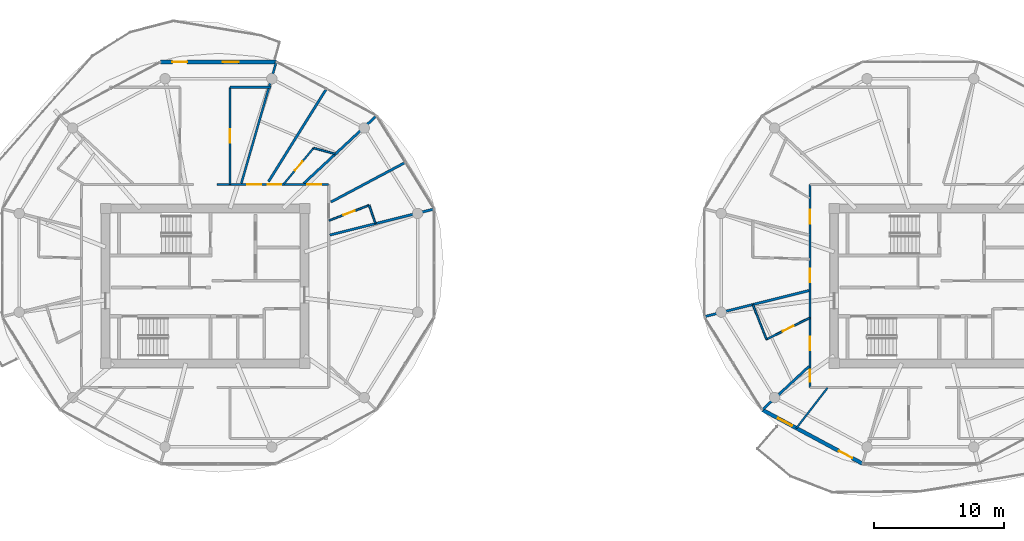
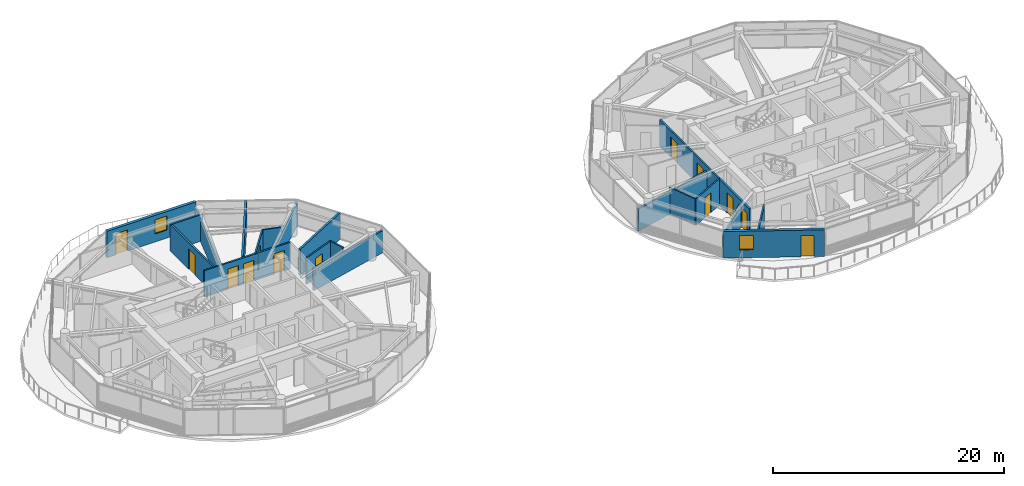
# One storey, part 15 of 24: 20 walls, 13 doors, 2 windows, 15 openings.
"""IFC4 building model written with IfcOpenShell, lengths in metres."""

from ifc_helpers import new_model, si_unit, direction, frame, frame_2d, origin, place, context, subcontext, project, spatial, rectangle, extrude, source, transform, mapped, material, layer, layer_set, type_object, type_shapes, element, fill, save


model = new_model("IFC4")

# Units and contexts
model_context = context("Model", 3, precision=1e-05, world=origin(), true_north=direction((0.0, 1.0)))
body_context = subcontext(model_context, "Body", "Model", "MODEL_VIEW")
ifc_project = project(units=[si_unit("LENGTHUNIT", "METRE"), si_unit("AREAUNIT", "SQUARE_METRE"), si_unit("VOLUMEUNIT", "CUBIC_METRE"), si_unit("PLANEANGLEUNIT", "RADIAN"), si_unit("MASSUNIT", "GRAM", prefix="KILO")], contexts=[model_context])

# Site, building, storey
site_placement = place(None, origin())
site = spatial("IfcSite", under=ifc_project, at=site_placement, CompositionType="ELEMENT")
building_placement = place(site_placement, origin())
building = spatial("IfcBuilding", under=site, at=building_placement, Name="Norrkilde Senior Care Towers", CompositionType="ELEMENT")
storey_placement = place(building_placement, frame((0.0, 0.0, 155.64990234375)))
storey = spatial("IfcBuildingStorey", under=building, at=storey_placement, Name="L48", CompositionType="ELEMENT", Elevation=155.64990234375)

# Wall, openings, door, window
ifc_material_1 = material(Name="Precast concrete C45/55", Category="concrete")
ifc_layer_1 = layer(ifc_material_1, 0.2900390625)
ifc_layer_set_1 = layer_set([ifc_layer_1], Name="Precast concrete C45/55")
wall_type_1 = type_object("IfcWallType", Name="Winter Garden Facade Wall 290", PredefinedType="SOLIDWALL", material=ifc_layer_set_1)
shared_shape_1 = source(origin(), body_context, "Body", "SweptSolid", [
    extrude(rectangle(XDim=8.741943359375, YDim=0.2900390625, at=frame_2d((4.37109375, 0.0))), origin(), (0.0, 0.0, 1.0), 2.81005859375),
])
wall_1_placement = place(storey_placement, frame((22.528564453125, -13.66015625, 0.0), z_axis=(0.0, 0.0, 1.0), x_axis=(-0.880998740657, 0.473118609823, 0.0)))
wall_1 = element("IfcWall", 1, at=wall_1_placement, inside=storey, type_object=wall_type_1, Name="L48 Drum E Balcony Access Wall 07", PredefinedType="SOLIDWALL", context=body_context, shape_type="MappedRepresentation", body=[
    mapped(shared_shape_1, transform((0.0, 0.0, 0.0), x_axis=(1.0, 0.0, 0.0), y_axis=(0.0, 1.0, 0.0), z_axis=(0.0, 0.0, 1.0), scale=1.0)),
])
opening_1_placement = place(wall_1_placement, frame((0.89990234375, 0.0, 0.0)))
opening_1 = element("IfcOpeningElement", 2, at=opening_1_placement, cuts=wall_1, Name="Opening D-09", PredefinedType="OPENING", context=body_context, shape_type="SweptSolid", body=[
    extrude(rectangle(XDim=1.14990234375, YDim=2.25, at=frame_2d((0.574951171875, 1.125))), frame((0.0, 0.155029296875, 0.0), z_axis=(0.0, -1.0, 0.0), x_axis=(1.0, 0.0, 0.0)), (0.0, 0.0, 1.0), 0.31005859375),
])
opening_2_placement = place(wall_1_placement, frame((6.160888671875, 0.0, 0.85009765625)))
opening_2 = element("IfcOpeningElement", 3, at=opening_2_placement, cuts=wall_1, Name="Opening WN-07", PredefinedType="OPENING", context=body_context, shape_type="SweptSolid", body=[
    extrude(rectangle(XDim=1.199951171875, YDim=1.5, at=frame_2d((0.60009765625, 0.75))), frame((0.0, 0.155029296875, 0.0), z_axis=(0.0, -1.0, 0.0), x_axis=(1.0, 0.0, 0.0)), (0.0, 0.0, 1.0), 0.31005859375),
])
ifc_material_2 = material(Name="Anodised Aluminium", Category="aluminium")
door_type_1 = type_object("IfcDoorType", Name="Terrace and Balcony Glazed Door 1150x2250", OperationType="NOTDEFINED", PredefinedType="DOOR", material=ifc_material_2)
shared_shape_2 = source(origin(), body_context, "Body", "SweptSolid", [
    extrude(rectangle(XDim=1.14990234375, YDim=2.25, at=frame_2d((0.574951171875, 1.125))), frame((0.0, 0.02490234375, 0.0), z_axis=(0.0, -1.0, 0.0), x_axis=(1.0, 0.0, 0.0)), (0.0, 0.0, 1.0), 0.050048828125),
])
type_shapes(door_type_1, [shared_shape_2])
door_1_placement = place(opening_1_placement, origin())
door_1 = element("IfcDoor", 4, at=door_1_placement, inside=storey, type_object=door_type_1, Name="L48 Drum E Outdoor Terrace Door 07", OperationType="SINGLE_SWING_RIGHT", OverallHeight=2.25, OverallWidth=1.14990234375, PredefinedType="DOOR", context=body_context, shape_type="MappedRepresentation", body=[
    mapped(shared_shape_2, transform((0.0, 0.0, 0.0), x_axis=(1.0, 0.0, 0.0), y_axis=(0.0, 1.0, 0.0), z_axis=(0.0, 0.0, 1.0), scale=1.0)),
])
fill(opening_1, door_1)
ifc_material_3 = material(Name="Triple Low-E Insulated Glazing", Category="glass")
window_type = type_object("IfcWindowType", Name="Stairwell Smoke Vent Window 1200x1500", PartitioningType="SINGLE_PANEL", PredefinedType="WINDOW", material=ifc_material_3)
shared_shape_3 = source(origin(), body_context, "Body", "SweptSolid", [
    extrude(rectangle(XDim=1.199951171875, YDim=1.5, at=frame_2d((0.60009765625, 0.75))), frame((0.0, 0.030029296875, 0.0), z_axis=(0.0, -1.0, 0.0), x_axis=(1.0, 0.0, 0.0)), (0.0, 0.0, 1.0), 0.06005859375),
])
type_shapes(window_type, [shared_shape_3])
window_1_placement = place(opening_2_placement, origin())
window_1 = element("IfcWindow", 5, at=window_1_placement, inside=storey, type_object=window_type, Name="L48 Drum E Winter Garden Window 07", OverallHeight=1.5, OverallWidth=1.199951171875, PartitioningType="SINGLE_PANEL", PredefinedType="WINDOW", context=body_context, shape_type="MappedRepresentation", body=[
    mapped(shared_shape_3, transform((0.0, 0.0, 0.0), x_axis=(1.0, 0.0, 0.0), y_axis=(0.0, 1.0, 0.0), z_axis=(0.0, 0.0, 1.0), scale=1.0)),
])
fill(opening_2, window_1)

shared_shape_4 = source(origin(), body_context, "Body", "SweptSolid", [
    extrude(rectangle(XDim=8.89306640625, YDim=0.2900390625, at=frame_2d((4.446533203125, 0.0))), origin(), (0.0, 0.0, 1.0), 2.81005859375),
])
type_shapes(wall_type_1, [shared_shape_1, shared_shape_4])
wall_2_placement = place(storey_placement, frame((-31.421630859375, 17.2109375, 0.0), z_axis=(0.0, 0.0, 1.0), x_axis=(1.0, 0.0, 0.0)))
wall_2 = element("IfcWall", 6, at=wall_2_placement, inside=storey, type_object=wall_type_1, Name="L48 Drum W Balcony Access Wall 02", PredefinedType="SOLIDWALL", context=body_context, shape_type="MappedRepresentation", body=[
    mapped(shared_shape_4, transform((0.0, 0.0, 0.0), x_axis=(1.0, 0.0, 0.0), y_axis=(0.0, 1.0, 0.0), z_axis=(0.0, 0.0, 1.0), scale=1.0)),
])
opening_3_placement = place(wall_2_placement, frame((0.89990234375, 0.0, 0.0)))
opening_3 = element("IfcOpeningElement", 7, at=opening_3_placement, cuts=wall_2, Name="Opening D-09", PredefinedType="OPENING", context=body_context, shape_type="SweptSolid", body=[
    extrude(rectangle(XDim=1.14990234375, YDim=2.25, at=frame_2d((0.574951171875, 1.125))), frame((0.0, 0.155029296875, 0.0), z_axis=(0.0, -1.0, 0.0), x_axis=(1.0, 0.0, 0.0)), (0.0, 0.0, 1.0), 0.31005859375),
])
opening_4_placement = place(wall_2_placement, frame((4.79638671875, 0.0, 0.85009765625)))
opening_4 = element("IfcOpeningElement", 8, at=opening_4_placement, cuts=wall_2, Name="Opening WN-07", PredefinedType="OPENING", context=body_context, shape_type="SweptSolid", body=[
    extrude(rectangle(XDim=1.199951171875, YDim=1.5, at=frame_2d((0.60009765625, 0.75))), frame((0.0, 0.155029296875, 0.0), z_axis=(0.0, -1.0, 0.0), x_axis=(1.0, 0.0, 0.0)), (0.0, 0.0, 1.0), 0.31005859375),
])
door_2_placement = place(opening_3_placement, origin())
door_2 = element("IfcDoor", 9, at=door_2_placement, inside=storey, type_object=door_type_1, Name="L48 Drum W Outdoor Terrace Door 02", OperationType="SINGLE_SWING_LEFT", OverallHeight=2.25, OverallWidth=1.14990234375, PredefinedType="DOOR", context=body_context, shape_type="MappedRepresentation", body=[
    mapped(shared_shape_2, transform((0.0, 0.0, 0.0), x_axis=(1.0, 0.0, 0.0), y_axis=(0.0, 1.0, 0.0), z_axis=(0.0, 0.0, 1.0), scale=1.0)),
])
fill(opening_3, door_2)
window_2_placement = place(opening_4_placement, origin())
window_2 = element("IfcWindow", 10, at=window_2_placement, inside=storey, type_object=window_type, Name="L48 Drum W Winter Garden Window 02", OverallHeight=1.5, OverallWidth=1.199951171875, PartitioningType="SINGLE_PANEL", PredefinedType="WINDOW", context=body_context, shape_type="MappedRepresentation", body=[
    mapped(shared_shape_3, transform((0.0, 0.0, 0.0), x_axis=(1.0, 0.0, 0.0), y_axis=(0.0, 1.0, 0.0), z_axis=(0.0, 0.0, 1.0), scale=1.0)),
])
fill(opening_4, window_2)

# Wall, openings, doors
ifc_material_4 = material(Name="Gypsum Acoustic Board")
ifc_layer_2 = layer(ifc_material_4, 0.1650390625)
ifc_layer_set_2 = layer_set([ifc_layer_2], Name="Gypsum Acoustic Board")
wall_type_2 = type_object("IfcWallType", Name="Corridor Rated Partition 165", PredefinedType="PARTITIONING", material=ifc_layer_set_2)
shared_shape_5 = source(origin(), body_context, "Body", "SweptSolid", [
    extrude(rectangle(XDim=8.60009765625, YDim=0.1650390625, at=frame_2d((4.300048828125, 0.0))), origin(), (0.0, 0.0, 1.0), 2.795166015625),
])
wall_3_placement = place(storey_placement, frame((-27.10009765625, 7.800048828125, 0.0), z_axis=(0.0, 0.0, 1.0), x_axis=(1.0, 0.0, 0.0)))
wall_3 = element("IfcWall", 11, at=wall_3_placement, inside=storey, type_object=wall_type_2, Name="WL-INT-L48-W-CRW-N-1", PredefinedType="PARTITIONING", context=body_context, shape_type="MappedRepresentation", body=[
    mapped(shared_shape_5, transform((0.0, 0.0, 0.0), x_axis=(1.0, 0.0, 0.0), y_axis=(0.0, 1.0, 0.0), z_axis=(0.0, 0.0, 1.0), scale=1.0)),
])
opening_5_placement = place(wall_3_placement, frame((6.9599609375, 0.0, 0.0)))
opening_5 = element("IfcOpeningElement", 12, at=opening_5_placement, cuts=wall_3, Name="Opening D-06", PredefinedType="OPENING", context=body_context, shape_type="SweptSolid", body=[
    extrude(rectangle(XDim=1.050048828125, YDim=2.14990234375, at=frame_2d((0.52490234375, 1.074951171875))), frame((0.0, 0.092529296875, 0.0), z_axis=(0.0, -1.0, 0.0), x_axis=(1.0, 0.0, 0.0)), (0.0, 0.0, 1.0), 0.18505859375),
])
opening_6_placement = place(wall_3_placement, frame((3.904052734375, 0.0, 0.0)))
opening_6 = element("IfcOpeningElement", 13, at=opening_6_placement, cuts=wall_3, Name="Opening D-06", PredefinedType="OPENING", context=body_context, shape_type="SweptSolid", body=[
    extrude(rectangle(XDim=1.050048828125, YDim=2.14990234375, at=frame_2d((0.52490234375, 1.074951171875))), frame((0.0, 0.092529296875, 0.0), z_axis=(0.0, -1.0, 0.0), x_axis=(1.0, 0.0, 0.0)), (0.0, 0.0, 1.0), 0.18505859375),
])
opening_7_placement = place(wall_3_placement, frame((2.347412109375, 0.0, 0.0)))
opening_7 = element("IfcOpeningElement", 14, at=opening_7_placement, cuts=wall_3, Name="Opening D-06", PredefinedType="OPENING", context=body_context, shape_type="SweptSolid", body=[
    extrude(rectangle(XDim=1.050048828125, YDim=2.14990234375, at=frame_2d((0.52490234375, 1.074951171875))), frame((0.0, 0.092529296875, 0.0), z_axis=(0.0, -1.0, 0.0), x_axis=(1.0, 0.0, 0.0)), (0.0, 0.0, 1.0), 0.18505859375),
])
ifc_material_5 = material(Name="Nordic Ash Timber", Category="wood")
door_type_2 = type_object("IfcDoorType", Name="Apartment Entrance Fire Door 1050x2150", OperationType="NOTDEFINED", PredefinedType="DOOR", material=ifc_material_5)
shared_shape_6 = source(origin(), body_context, "Body", "SweptSolid", [
    extrude(rectangle(XDim=1.050048828125, YDim=2.14990234375, at=frame_2d((0.52490234375, 1.074951171875))), frame((0.0, 0.02490234375, 0.0), z_axis=(0.0, -1.0, 0.0), x_axis=(1.0, 0.0, 0.0)), (0.0, 0.0, 1.0), 0.050048828125),
])
type_shapes(door_type_2, [shared_shape_6])
door_3_placement = place(opening_5_placement, frame((1.050048828125, 0.0, 0.0), z_axis=(0.0, 0.0, 1.0), x_axis=(-1.0, 0.0, 0.0)))
door_3 = element("IfcDoor", 15, at=door_3_placement, inside=storey, type_object=door_type_2, Name="L48 Therapy Day Lounge 00 Door", OperationType="SINGLE_SWING_RIGHT", OverallHeight=2.14990234375, OverallWidth=1.050048828125, PredefinedType="DOOR", context=body_context, shape_type="MappedRepresentation", body=[
    mapped(shared_shape_6, transform((0.0, 0.0, 0.0), x_axis=(1.0, 0.0, 0.0), y_axis=(0.0, 1.0, 0.0), z_axis=(0.0, 0.0, 1.0), scale=1.0)),
])
fill(opening_5, door_3)
door_4_placement = place(opening_6_placement, frame((1.050048828125, 0.0, 0.0), z_axis=(0.0, 0.0, 1.0), x_axis=(-1.0, 0.0, 0.0)))
door_4 = element("IfcDoor", 16, at=door_4_placement, inside=storey, type_object=door_type_2, Name="L48 Care Suite 4801A Entrance Door", OperationType="SINGLE_SWING_LEFT", OverallHeight=2.14990234375, OverallWidth=1.050048828125, PredefinedType="DOOR", context=body_context, shape_type="MappedRepresentation", body=[
    mapped(shared_shape_6, transform((0.0, 0.0, 0.0), x_axis=(1.0, 0.0, 0.0), y_axis=(0.0, 1.0, 0.0), z_axis=(0.0, 0.0, 1.0), scale=1.0)),
])
fill(opening_6, door_4)
door_5_placement = place(opening_7_placement, frame((1.050048828125, 0.0, 0.0), z_axis=(0.0, 0.0, 1.0), x_axis=(-1.0, 0.0, 0.0)))
door_5 = element("IfcDoor", 17, at=door_5_placement, inside=storey, type_object=door_type_2, Name="L48 Therapy Day Lounge 01 Door", OperationType="SINGLE_SWING_LEFT", OverallHeight=2.14990234375, OverallWidth=1.050048828125, PredefinedType="DOOR", context=body_context, shape_type="MappedRepresentation", body=[
    mapped(shared_shape_6, transform((0.0, 0.0, 0.0), x_axis=(1.0, 0.0, 0.0), y_axis=(0.0, 1.0, 0.0), z_axis=(0.0, 0.0, 1.0), scale=1.0)),
])
fill(opening_7, door_5)

shared_shape_7 = source(origin(), body_context, "Body", "SweptSolid", [
    extrude(rectangle(XDim=15.60009765625, YDim=0.1650390625, at=frame_2d((7.800048828125, 0.0))), origin(), (0.0, 0.0, 1.0), 2.795166015625),
])
wall_4_placement = place(storey_placement, frame((18.5, -7.800048828125, 0.0), z_axis=(0.0, 0.0, 1.0), x_axis=(0.0, 1.0, 0.0)))
wall_4 = element("IfcWall", 18, at=wall_4_placement, inside=storey, type_object=wall_type_2, Name="WL-INT-L48-E-CRW-W-0", PredefinedType="PARTITIONING", context=body_context, shape_type="MappedRepresentation", body=[
    mapped(shared_shape_7, transform((0.0, 0.0, 0.0), x_axis=(1.0, 0.0, 0.0), y_axis=(0.0, 1.0, 0.0), z_axis=(0.0, 0.0, 1.0), scale=1.0)),
])
opening_8_placement = place(wall_4_placement, frame((12.590576171875, 0.0, 0.0)))
opening_8 = element("IfcOpeningElement", 19, at=opening_8_placement, cuts=wall_4, Name="Opening D-06", PredefinedType="OPENING", context=body_context, shape_type="SweptSolid", body=[
    extrude(rectangle(XDim=1.050048828125, YDim=2.14990234375, at=frame_2d((0.52490234375, 1.074951171875))), frame((0.0, 0.092529296875, 0.0), z_axis=(0.0, -1.0, 0.0), x_axis=(1.0, 0.0, 0.0)), (0.0, 0.0, 1.0), 0.18505859375),
])
opening_9_placement = place(wall_4_placement, frame((8.0810546875, 0.0, 0.0)))
opening_9 = element("IfcOpeningElement", 20, at=opening_9_placement, cuts=wall_4, Name="Opening D-06", PredefinedType="OPENING", context=body_context, shape_type="SweptSolid", body=[
    extrude(rectangle(XDim=1.050048828125, YDim=2.14990234375, at=frame_2d((0.52490234375, 1.074951171875))), frame((0.0, 0.092529296875, 0.0), z_axis=(0.0, -1.0, 0.0), x_axis=(1.0, 0.0, 0.0)), (0.0, 0.0, 1.0), 0.18505859375),
])
opening_10_placement = place(wall_4_placement, frame((2.853515625, 0.0, 0.0)))
opening_10 = element("IfcOpeningElement", 21, at=opening_10_placement, cuts=wall_4, Name="Opening D-06", PredefinedType="OPENING", context=body_context, shape_type="SweptSolid", body=[
    extrude(rectangle(XDim=1.050048828125, YDim=2.14990234375, at=frame_2d((0.52490234375, 1.074951171875))), frame((0.0, 0.092529296875, 0.0), z_axis=(0.0, -1.0, 0.0), x_axis=(1.0, 0.0, 0.0)), (0.0, 0.0, 1.0), 0.18505859375),
])
opening_11_placement = place(wall_4_placement, frame((0.452392578125, 0.0, 0.0)))
opening_11 = element("IfcOpeningElement", 22, at=opening_11_placement, cuts=wall_4, Name="Opening D-08", PredefinedType="OPENING", context=body_context, shape_type="SweptSolid", body=[
    extrude(rectangle(XDim=0.919921875, YDim=2.10009765625, at=frame_2d((0.4599609375, 1.050048828125))), frame((0.0, 0.092529296875, 0.0), z_axis=(0.0, -1.0, 0.0), x_axis=(1.0, 0.0, 0.0)), (0.0, 0.0, 1.0), 0.18505859375),
])
door_type_3 = type_object("IfcDoorType", Name="Accessible Wet Room Door 920x2100", OperationType="NOTDEFINED", PredefinedType="DOOR", material=ifc_material_5)
shared_shape_8 = source(origin(), body_context, "Body", "SweptSolid", [
    extrude(rectangle(XDim=0.919921875, YDim=2.10009765625, at=frame_2d((0.4599609375, 1.050048828125))), frame((0.0, 0.02490234375, 0.0), z_axis=(0.0, -1.0, 0.0), x_axis=(1.0, 0.0, 0.0)), (0.0, 0.0, 1.0), 0.050048828125),
])
type_shapes(door_type_3, [shared_shape_8])
door_6_placement = place(opening_11_placement, frame((0.919921875, 0.0, 0.0), z_axis=(0.0, 0.0, 1.0), x_axis=(-1.0, 0.0, 0.0)))
door_6 = element("IfcDoor", 23, at=door_6_placement, inside=storey, type_object=door_type_3, Name="L48 Accessible Restroom Door", OperationType="SINGLE_SWING_RIGHT", OverallHeight=2.10009765625, OverallWidth=0.919921875, PredefinedType="DOOR", context=body_context, shape_type="MappedRepresentation", body=[
    mapped(shared_shape_8, transform((0.0, 0.0, 0.0), x_axis=(1.0, 0.0, 0.0), y_axis=(0.0, 1.0, 0.0), z_axis=(0.0, 0.0, 1.0), scale=1.0)),
])
fill(opening_11, door_6)
door_7_placement = place(opening_8_placement, frame((1.050048828125, 0.0, 0.0), z_axis=(0.0, 0.0, 1.0), x_axis=(-1.0, 0.0, 0.0)))
door_7 = element("IfcDoor", 24, at=door_7_placement, inside=storey, type_object=door_type_2, Name="L48 Studio 48A Entrance Door", OperationType="SINGLE_SWING_LEFT", OverallHeight=2.14990234375, OverallWidth=1.050048828125, PredefinedType="DOOR", context=body_context, shape_type="MappedRepresentation", body=[
    mapped(shared_shape_6, transform((0.0, 0.0, 0.0), x_axis=(1.0, 0.0, 0.0), y_axis=(0.0, 1.0, 0.0), z_axis=(0.0, 0.0, 1.0), scale=1.0)),
])
fill(opening_8, door_7)
door_8_placement = place(opening_9_placement, frame((1.050048828125, 0.0, 0.0), z_axis=(0.0, 0.0, 1.0), x_axis=(-1.0, 0.0, 0.0)))
door_8 = element("IfcDoor", 25, at=door_8_placement, inside=storey, type_object=door_type_2, Name="L48 Studio 48B Entrance Door", OperationType="SINGLE_SWING_RIGHT", OverallHeight=2.14990234375, OverallWidth=1.050048828125, PredefinedType="DOOR", context=body_context, shape_type="MappedRepresentation", body=[
    mapped(shared_shape_6, transform((0.0, 0.0, 0.0), x_axis=(1.0, 0.0, 0.0), y_axis=(0.0, 1.0, 0.0), z_axis=(0.0, 0.0, 1.0), scale=1.0)),
])
fill(opening_9, door_8)
door_9_placement = place(opening_10_placement, frame((1.050048828125, 0.0, 0.0), z_axis=(0.0, 0.0, 1.0), x_axis=(-1.0, 0.0, 0.0)))
door_9 = element("IfcDoor", 26, at=door_9_placement, inside=storey, type_object=door_type_2, Name="L48 Studio 48C Entrance Door", OperationType="SINGLE_SWING_LEFT", OverallHeight=2.14990234375, OverallWidth=1.050048828125, PredefinedType="DOOR", context=body_context, shape_type="MappedRepresentation", body=[
    mapped(shared_shape_6, transform((0.0, 0.0, 0.0), x_axis=(1.0, 0.0, 0.0), y_axis=(0.0, 1.0, 0.0), z_axis=(0.0, 0.0, 1.0), scale=1.0)),
])
fill(opening_10, door_9)

# Walls
shared_shape_9 = source(origin(), body_context, "Body", "SweptSolid", [
    extrude(rectangle(XDim=9.73046875, YDim=0.1650390625, at=frame_2d((4.865234375, 0.0))), origin(), (0.0, 0.0, 1.0), 2.34521484375),
])
wall_5_placement = place(storey_placement, frame((-25.216552734375, 7.8798828125, 0.0), z_axis=(0.0, 0.0, 1.0), x_axis=(0.27679492614, 0.960929013436, 0.0)))
element("IfcWall", 27, at=wall_5_placement, inside=storey, type_object=wall_type_2, Name="WL-INT-L48-W-DEM-02-0", PredefinedType="PARTITIONING", context=body_context, shape_type="MappedRepresentation", body=[
    mapped(shared_shape_9, transform((0.0, 0.0, 0.0), x_axis=(1.0, 0.0, 0.0), y_axis=(0.0, 1.0, 0.0), z_axis=(0.0, 0.0, 1.0), scale=1.0)),
])
ifc_layer_3 = layer(ifc_material_4, 0.18994140625)
ifc_layer_set_3 = layer_set([ifc_layer_3], Name="Gypsum Acoustic Board")
wall_type_3 = type_object("IfcWallType", Name="Unit Demising Acoustic Wall 190", PredefinedType="PARTITIONING", material=ifc_layer_set_3)
shared_shape_10 = source(origin(), body_context, "Body", "SweptSolid", [
    extrude(rectangle(XDim=8.305419921875, YDim=0.18994140625, at=frame_2d((4.15283203125, 0.0))), origin(), (0.0, 0.0, 1.0), 2.34521484375),
])
for number, where, z_axis, x_axis, name in (
    (28, (-18.419921875, 3.90771484375, 0.0), (0.0, 0.0, 1.0), (0.970309994378, 0.241864662175, 0.0), "WL-INT-L48-W-DEM-00-0"),
    (29, (18.419921875, -0.35693359375, 0.0), (0.0, 0.0, 1.0), (-0.970309994378, -0.241864662175, 0.0), "WL-INT-L48-E-DEM-06-0"),
):
    element("IfcWall", number, at=place(storey_placement, frame(where, z_axis=z_axis, x_axis=x_axis)), inside=storey, type_object=wall_type_3, Name=name, PredefinedType="PARTITIONING", context=body_context, shape_type="MappedRepresentation", body=[
        mapped(shared_shape_10, transform((0.0, 0.0, 0.0), x_axis=(1.0, 0.0, 0.0), y_axis=(0.0, 1.0, 0.0), z_axis=(0.0, 0.0, 1.0), scale=1.0)),
    ])
shared_shape_11 = source(origin(), body_context, "Body", "SweptSolid", [
    extrude(rectangle(XDim=7.648193359375, YDim=0.18994140625, at=frame_2d((3.82421875, 0.0))), origin(), (0.0, 0.0, 1.0), 2.34521484375),
])
wall_6_placement = place(storey_placement, frame((-20.41259765625, 7.8798828125, 0.0), z_axis=(0.0, 0.0, 1.0), x_axis=(0.732182665826, 0.681108320213, 0.0)))
element("IfcWall", 30, at=wall_6_placement, inside=storey, type_object=wall_type_3, Name="WL-INT-L48-W-DEM-01-0", PredefinedType="PARTITIONING", context=body_context, shape_type="MappedRepresentation", body=[
    mapped(shared_shape_11, transform((0.0, 0.0, 0.0), x_axis=(1.0, 0.0, 0.0), y_axis=(0.0, 1.0, 0.0), z_axis=(0.0, 0.0, 1.0), scale=1.0)),
])
shared_shape_12 = source(origin(), body_context, "Body", "SweptSolid", [
    extrude(rectangle(XDim=6.4990234375, YDim=0.18994140625, at=frame_2d((3.24951171875, 0.0))), origin(), (0.0, 0.0, 1.0), 2.795166015625),
])
wall_7_placement = place(storey_placement, frame((-18.32373046875, 6.44873046875, 0.0), z_axis=(0.0, 0.0, 1.0), x_axis=(0.882715595921, 0.469907625729, 0.0)))
element("IfcWall", 31, at=wall_7_placement, inside=storey, type_object=wall_type_3, Name="WL-INT-L48-W-CMID-00", PredefinedType="PARTITIONING", context=body_context, shape_type="MappedRepresentation", body=[
    mapped(shared_shape_12, transform((0.0, 0.0, 0.0), x_axis=(1.0, 0.0, 0.0), y_axis=(0.0, 1.0, 0.0), z_axis=(0.0, 0.0, 1.0), scale=1.0)),
])

# Wall, opening, door
ifc_layer_4 = layer(ifc_material_4, 0.139892578125)
ifc_layer_set_4 = layer_set([ifc_layer_4], Name="Gypsum Acoustic Board")
wall_type_4 = type_object("IfcWallType", Name="En-suite Wet Room Wall 140", PredefinedType="PARTITIONING", material=ifc_layer_set_4)
shared_shape_13 = source(origin(), body_context, "Body", "SweptSolid", [
    extrude(rectangle(XDim=3.295166015625, YDim=0.139892578125, at=frame_2d((1.6474609375, 0.0))), origin(), (0.0, 0.0, 1.0), 2.795166015625),
])
wall_8_placement = place(storey_placement, frame((-18.469970703125, 5.022705078125, 0.0), z_axis=(0.0, 0.0, 1.0), x_axis=(0.934202224769, 0.356743890258, 0.0)))
wall_8 = element("IfcWall", 32, at=wall_8_placement, inside=storey, type_object=wall_type_4, Name="WL-INT-L48-W-ES-00A", PredefinedType="PARTITIONING", context=body_context, shape_type="MappedRepresentation", body=[
    mapped(shared_shape_13, transform((0.0, 0.0, 0.0), x_axis=(1.0, 0.0, 0.0), y_axis=(0.0, 1.0, 0.0), z_axis=(0.0, 0.0, 1.0), scale=1.0)),
])
opening_12_placement = place(wall_8_placement, frame((1.1875, 0.0, 0.0)))
opening_12 = element("IfcOpeningElement", 33, at=opening_12_placement, cuts=wall_8, Name="Opening D-08", PredefinedType="OPENING", context=body_context, shape_type="SweptSolid", body=[
    extrude(rectangle(XDim=0.919921875, YDim=2.10009765625, at=frame_2d((0.4599609375, 1.050048828125))), frame((0.0, 0.079833984375, 0.0), z_axis=(0.0, -1.0, 0.0), x_axis=(1.0, 0.0, 0.0)), (0.0, 0.0, 1.0), 0.159912109375),
])
door_10_placement = place(opening_12_placement, origin())
door_10 = element("IfcDoor", 34, at=door_10_placement, inside=storey, type_object=door_type_3, Name="L48 Care Suite 4800A Bathroom Door", OperationType="SINGLE_SWING_LEFT", OverallHeight=2.10009765625, OverallWidth=0.919921875, PredefinedType="DOOR", context=body_context, shape_type="MappedRepresentation", body=[
    mapped(shared_shape_8, transform((0.0, 0.0, 0.0), x_axis=(1.0, 0.0, 0.0), y_axis=(0.0, 1.0, 0.0), z_axis=(0.0, 0.0, 1.0), scale=1.0)),
])
fill(opening_12, door_10)

# Walls
shared_shape_14 = source(origin(), body_context, "Body", "SweptSolid", [
    extrude(rectangle(XDim=1.478759765625, YDim=0.139892578125, at=frame_2d((0.7392578125, 0.0))), origin(), (0.0, 0.0, 1.0), 2.795166015625),
])
wall_9_placement = place(storey_placement, frame((-15.3916015625, 6.1982421875, 0.0), z_axis=(0.0, 0.0, 1.0), x_axis=(0.324438293903, -0.945906862989, 0.0)))
element("IfcWall", 35, at=wall_9_placement, inside=storey, type_object=wall_type_4, Name="WL-INT-L48-W-EF-00A", PredefinedType="PARTITIONING", context=body_context, shape_type="MappedRepresentation", body=[
    mapped(shared_shape_14, transform((0.0, 0.0, 0.0), x_axis=(1.0, 0.0, 0.0), y_axis=(0.0, 1.0, 0.0), z_axis=(0.0, 0.0, 1.0), scale=1.0)),
])
shared_shape_15 = source(origin(), body_context, "Body", "SweptSolid", [
    extrude(rectangle(XDim=8.42236328125, YDim=0.18994140625, at=frame_2d((4.211181640625, 0.0))), origin(), (0.0, 0.0, 1.0), 2.795166015625),
])
wall_10_placement = place(storey_placement, frame((-23.12548828125, 8.013671875, 0.0), z_axis=(0.0, 0.0, 1.0), x_axis=(0.52925352896, 0.848463730565, 0.0)))
element("IfcWall", 36, at=wall_10_placement, inside=storey, type_object=wall_type_3, Name="WL-INT-L48-W-CMID-01", PredefinedType="PARTITIONING", context=body_context, shape_type="MappedRepresentation", body=[
    mapped(shared_shape_15, transform((0.0, 0.0, 0.0), x_axis=(1.0, 0.0, 0.0), y_axis=(0.0, 1.0, 0.0), z_axis=(0.0, 0.0, 1.0), scale=1.0)),
])

# Wall, opening, door
shared_shape_16 = source(origin(), body_context, "Body", "SweptSolid", [
    extrude(rectangle(XDim=3.59326171875, YDim=0.139892578125, at=frame_2d((1.796630859375, 0.0))), origin(), (0.0, 0.0, 1.0), 2.795166015625),
])
wall_11_placement = place(storey_placement, frame((-21.955322265625, 7.830078125, 0.0), z_axis=(0.0, 0.0, 1.0), x_axis=(0.638271060163, 0.769811700196, 0.0)))
wall_11 = element("IfcWall", 37, at=wall_11_placement, inside=storey, type_object=wall_type_4, Name="WL-INT-L48-W-ES-01A", PredefinedType="PARTITIONING", context=body_context, shape_type="MappedRepresentation", body=[
    mapped(shared_shape_16, transform((0.0, 0.0, 0.0), x_axis=(1.0, 0.0, 0.0), y_axis=(0.0, 1.0, 0.0), z_axis=(0.0, 0.0, 1.0), scale=1.0)),
])
opening_13_placement = place(wall_11_placement, frame((1.336669921875, 0.0, 0.0)))
opening_13 = element("IfcOpeningElement", 38, at=opening_13_placement, cuts=wall_11, Name="Opening D-08", PredefinedType="OPENING", context=body_context, shape_type="SweptSolid", body=[
    extrude(rectangle(XDim=0.919921875, YDim=2.10009765625, at=frame_2d((0.4599609375, 1.050048828125))), frame((0.0, 0.079833984375, 0.0), z_axis=(0.0, -1.0, 0.0), x_axis=(1.0, 0.0, 0.0)), (0.0, 0.0, 1.0), 0.159912109375),
])
door_11_placement = place(opening_13_placement, origin())
door_11 = element("IfcDoor", 39, at=door_11_placement, inside=storey, type_object=door_type_3, Name="L48 Care Suite 4801A Bathroom Door", OperationType="SINGLE_SWING_RIGHT", OverallHeight=2.10009765625, OverallWidth=0.919921875, PredefinedType="DOOR", context=body_context, shape_type="MappedRepresentation", body=[
    mapped(shared_shape_8, transform((0.0, 0.0, 0.0), x_axis=(1.0, 0.0, 0.0), y_axis=(0.0, 1.0, 0.0), z_axis=(0.0, 0.0, 1.0), scale=1.0)),
])
fill(opening_13, door_11)

# Wall
shared_shape_17 = source(origin(), body_context, "Body", "SweptSolid", [
    extrude(rectangle(XDim=1.69677734375, YDim=0.139892578125, at=frame_2d((0.848388671875, 0.0))), origin(), (0.0, 0.0, 1.0), 2.795166015625),
])
wall_12_placement = place(storey_placement, frame((-19.661865234375, 10.59619140625, 0.0), z_axis=(0.0, 0.0, 1.0), x_axis=(0.964667458123, -0.263470482671, 0.0)))
element("IfcWall", 40, at=wall_12_placement, inside=storey, type_object=wall_type_4, Name="WL-INT-L48-W-EF-01A", PredefinedType="PARTITIONING", context=body_context, shape_type="MappedRepresentation", body=[
    mapped(shared_shape_17, transform((0.0, 0.0, 0.0), x_axis=(1.0, 0.0, 0.0), y_axis=(0.0, 1.0, 0.0), z_axis=(0.0, 0.0, 1.0), scale=1.0)),
])

# Wall, opening, door
shared_shape_18 = source(origin(), body_context, "Body", "SweptSolid", [
    extrude(rectangle(XDim=7.46533203125, YDim=0.1650390625, at=frame_2d((3.732666015625, 0.0))), origin(), (0.0, 0.0, 1.0), 2.795166015625),
])
wall_13_placement = place(storey_placement, frame((-26.080078125, 7.800048828125, 0.0), z_axis=(0.0, 0.0, 1.0), x_axis=(0.0, 1.0, 0.0)))
wall_13 = element("IfcWall", 41, at=wall_13_placement, inside=storey, type_object=wall_type_2, Name="WL-INT-L48-W-PKW-NEL", PredefinedType="PARTITIONING", context=body_context, shape_type="MappedRepresentation", body=[
    mapped(shared_shape_18, transform((0.0, 0.0, 0.0), x_axis=(1.0, 0.0, 0.0), y_axis=(0.0, 1.0, 0.0), z_axis=(0.0, 0.0, 1.0), scale=1.0)),
])
opening_14_placement = place(wall_13_placement, frame((3.207763671875, 0.0, 0.0)))
opening_14 = element("IfcOpeningElement", 42, at=opening_14_placement, cuts=wall_13, Name="Opening D-06", PredefinedType="OPENING", context=body_context, shape_type="SweptSolid", body=[
    extrude(rectangle(XDim=1.050048828125, YDim=2.14990234375, at=frame_2d((0.52490234375, 1.074951171875))), frame((0.0, 0.092529296875, 0.0), z_axis=(0.0, -1.0, 0.0), x_axis=(1.0, 0.0, 0.0)), (0.0, 0.0, 1.0), 0.18505859375),
])
door_12_placement = place(opening_14_placement, frame((1.050048828125, 0.0, 0.0), z_axis=(0.0, 0.0, 1.0), x_axis=(-1.0, 0.0, 0.0)))
door_12 = element("IfcDoor", 43, at=door_12_placement, inside=storey, type_object=door_type_2, Name="L48 Reading Lounge NEL Door", OperationType="SINGLE_SWING_RIGHT", OverallHeight=2.14990234375, OverallWidth=1.050048828125, PredefinedType="DOOR", context=body_context, shape_type="MappedRepresentation", body=[
    mapped(shared_shape_6, transform((0.0, 0.0, 0.0), x_axis=(1.0, 0.0, 0.0), y_axis=(0.0, 1.0, 0.0), z_axis=(0.0, 0.0, 1.0), scale=1.0)),
])
fill(opening_14, door_12)

# Walls
shared_shape_19 = source(origin(), body_context, "Body", "SweptSolid", [
    extrude(rectangle(XDim=3.148681640625, YDim=0.1650390625, at=frame_2d((1.57421875, 0.0))), origin(), (0.0, 0.0, 1.0), 2.795166015625),
])
type_shapes(wall_type_2, [shared_shape_5, shared_shape_7, shared_shape_9, shared_shape_18, shared_shape_19])
wall_14_placement = place(storey_placement, frame((-26.080078125, 15.265380859375, 0.0), z_axis=(0.0, 0.0, 1.0), x_axis=(1.0, 0.0, 0.0)))
element("IfcWall", 44, at=wall_14_placement, inside=storey, type_object=wall_type_2, Name="WL-INT-L48-W-PKH-NEL-0", PredefinedType="PARTITIONING", context=body_context, shape_type="MappedRepresentation", body=[
    mapped(shared_shape_19, transform((0.0, 0.0, 0.0), x_axis=(1.0, 0.0, 0.0), y_axis=(0.0, 1.0, 0.0), z_axis=(0.0, 0.0, 1.0), scale=1.0)),
])
shared_shape_20 = source(origin(), body_context, "Body", "SweptSolid", [
    extrude(rectangle(XDim=4.926513671875, YDim=0.18994140625, at=frame_2d((2.46337890625, 0.0))), origin(), (0.0, 0.0, 1.0), 2.34521484375),
])
type_shapes(wall_type_3, [shared_shape_10, shared_shape_11, shared_shape_12, shared_shape_15, shared_shape_20])
wall_15_placement = place(storey_placement, frame((18.419921875, -6.182861328125, 0.0), z_axis=(0.0, 0.0, 1.0), x_axis=(-0.732191335987, -0.681098999783, 0.0)))
element("IfcWall", 45, at=wall_15_placement, inside=storey, type_object=wall_type_3, Name="WL-INT-L48-E-DEM-07-0", PredefinedType="PARTITIONING", context=body_context, shape_type="MappedRepresentation", body=[
    mapped(shared_shape_20, transform((0.0, 0.0, 0.0), x_axis=(1.0, 0.0, 0.0), y_axis=(0.0, 1.0, 0.0), z_axis=(0.0, 0.0, 1.0), scale=1.0)),
])

# Wall, opening, door
shared_shape_21 = source(origin(), body_context, "Body", "SweptSolid", [
    extrude(rectangle(XDim=3.706787109375, YDim=0.139892578125, at=frame_2d((1.853515625, 0.0))), origin(), (0.0, 0.0, 1.0), 2.795166015625),
])
wall_16_placement = place(storey_placement, frame((18.469970703125, -2.455810546875, 0.0), z_axis=(0.0, 0.0, 1.0), x_axis=(-0.895347377717, -0.44536846904, 0.0)))
wall_16 = element("IfcWall", 46, at=wall_16_placement, inside=storey, type_object=wall_type_4, Name="WL-INT-L48-E-ES-06", PredefinedType="PARTITIONING", context=body_context, shape_type="MappedRepresentation", body=[
    mapped(shared_shape_21, transform((0.0, 0.0, 0.0), x_axis=(1.0, 0.0, 0.0), y_axis=(0.0, 1.0, 0.0), z_axis=(0.0, 0.0, 1.0), scale=1.0)),
])
opening_15_placement = place(wall_16_placement, frame((1.3935546875, 0.0, 0.0)))
opening_15 = element("IfcOpeningElement", 47, at=opening_15_placement, cuts=wall_16, Name="Opening D-08", PredefinedType="OPENING", context=body_context, shape_type="SweptSolid", body=[
    extrude(rectangle(XDim=0.919921875, YDim=2.10009765625, at=frame_2d((0.4599609375, 1.050048828125))), frame((0.0, 0.079833984375, 0.0), z_axis=(0.0, -1.0, 0.0), x_axis=(1.0, 0.0, 0.0)), (0.0, 0.0, 1.0), 0.159912109375),
])
door_13_placement = place(opening_15_placement, origin())
door_13 = element("IfcDoor", 48, at=door_13_placement, inside=storey, type_object=door_type_3, Name="L48 Studio 48C Bathroom Door", OperationType="SINGLE_SWING_RIGHT", OverallHeight=2.10009765625, OverallWidth=0.919921875, PredefinedType="DOOR", context=body_context, shape_type="MappedRepresentation", body=[
    mapped(shared_shape_8, transform((0.0, 0.0, 0.0), x_axis=(1.0, 0.0, 0.0), y_axis=(0.0, 1.0, 0.0), z_axis=(0.0, 0.0, 1.0), scale=1.0)),
])
fill(opening_15, door_13)

# Walls
shared_shape_22 = source(origin(), body_context, "Body", "SweptSolid", [
    extrude(rectangle(XDim=2.8544921875, YDim=0.139892578125, at=frame_2d((1.42724609375, 0.0))), origin(), (0.0, 0.0, 1.0), 2.795166015625),
])
wall_17_placement = place(storey_placement, frame((15.151123046875, -4.106689453125, 0.0), z_axis=(0.0, 0.0, 1.0), x_axis=(-0.366932834407, 0.930247437532, 0.0)))
element("IfcWall", 49, at=wall_17_placement, inside=storey, type_object=wall_type_4, Name="WL-INT-L48-E-EF-06", PredefinedType="PARTITIONING", context=body_context, shape_type="MappedRepresentation", body=[
    mapped(shared_shape_22, transform((0.0, 0.0, 0.0), x_axis=(1.0, 0.0, 0.0), y_axis=(0.0, 1.0, 0.0), z_axis=(0.0, 0.0, 1.0), scale=1.0)),
])
shared_shape_23 = source(origin(), body_context, "Body", "SweptSolid", [
    extrude(rectangle(XDim=3.936767578125, YDim=0.139892578125, at=frame_2d((1.96826171875, 0.0))), origin(), (0.0, 0.0, 1.0), 2.795166015625),
])
type_shapes(wall_type_4, [shared_shape_13, shared_shape_14, shared_shape_16, shared_shape_17, shared_shape_21, shared_shape_22, shared_shape_23])
wall_18_placement = place(storey_placement, frame((19.83984375, -7.830078125, 0.0), z_axis=(0.0, 0.0, 1.0), x_axis=(-0.611055586441, -0.79158768957, 0.0)))
element("IfcWall", 50, at=wall_18_placement, inside=storey, type_object=wall_type_4, Name="WL-INT-L48-E-MID-07", PredefinedType="PARTITIONING", context=body_context, shape_type="MappedRepresentation", body=[
    mapped(shared_shape_23, transform((0.0, 0.0, 0.0), x_axis=(1.0, 0.0, 0.0), y_axis=(0.0, 1.0, 0.0), z_axis=(0.0, 0.0, 1.0), scale=1.0)),
])

save(model, "model.ifc")
